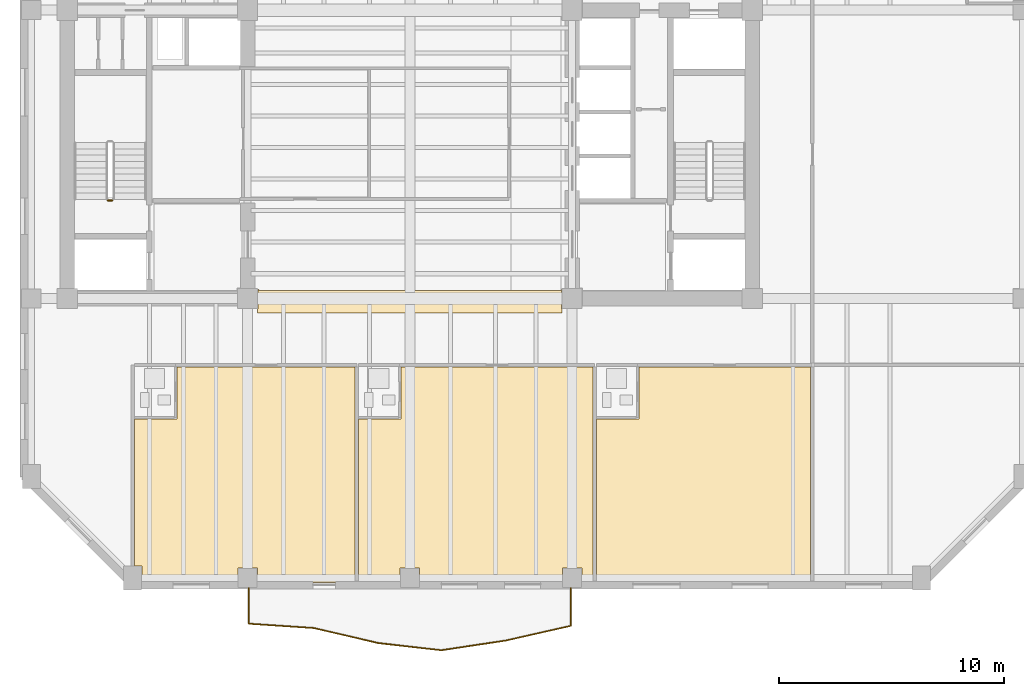
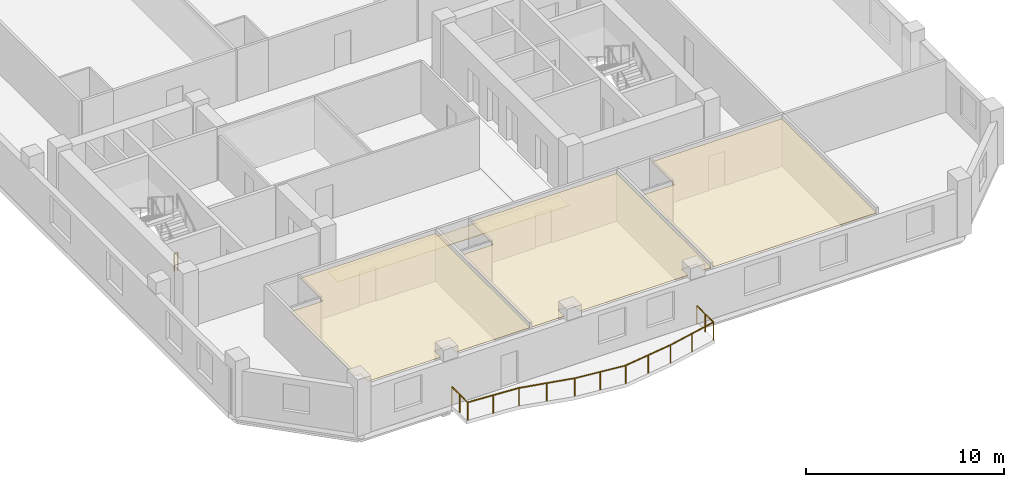
# One storey, part 6 of 9: 4 coverings, 2 railings.
"""IFC4 building model written with IfcOpenShell, lengths in metres."""

from ifc_helpers import new_model, si_unit, direction, frame, origin, origin_2d, place, context, subcontext, project, spatial, polyline, circle, outline, extrude, material, layer, layer_set, type_object, element, save


model = new_model("IFC4")

# Units and contexts
model_context = context("Model", 3, precision=1e-05, world=origin(), true_north=direction((0.0, 1.0)))
body_context = subcontext(model_context, "Body", "Model", "MODEL_VIEW")
ifc_project = project(units=[si_unit("LENGTHUNIT", "METRE"), si_unit("AREAUNIT", "SQUARE_METRE"), si_unit("VOLUMEUNIT", "CUBIC_METRE"), si_unit("PLANEANGLEUNIT", "RADIAN"), si_unit("MASSUNIT", "GRAM", prefix="KILO")], contexts=[model_context])

# Site, building, storey
site_placement = place(None, origin())
site = spatial("IfcSite", under=ifc_project, at=site_placement, CompositionType="ELEMENT")
building_placement = place(site_placement, origin())
building = spatial("IfcBuilding", under=site, at=building_placement, Name="Kranthara Brick Stack", CompositionType="ELEMENT")
storey_placement = place(building_placement, frame((0.0, 0.0, 165.800048828125)))
storey = spatial("IfcBuildingStorey", under=building, at=storey_placement, Name="L42", CompositionType="ELEMENT", Elevation=165.800048828125)

# Coverings
ifc_material_1 = material(Name="Perforated mineral-fibre acoustic ceiling tile", Category="other")
ifc_layer_1 = layer(ifc_material_1, 0.02490234375)
ifc_layer_set_1 = layer_set([ifc_layer_1], Name="Perforated mineral-fibre acoustic ceiling tile")
covering_type_1 = type_object("IfcCoveringType", Name="COV-CEIL-ACOUSTIC", PredefinedType="CEILING", material=ifc_layer_set_1)
covering_1_placement = place(storey_placement, frame((0.0, 0.0, 2.929931640625)))
element("IfcCovering", 1, at=covering_1_placement, inside=storey, type_object=covering_type_1, Name="L42 Room L42-01 Corner Junior Suite Acoustic Ceiling", PredefinedType="CEILING", context=body_context, shape_type="SweptSolid", body=[
    extrude(outline(polyline([(17.659912109375, 15.4599609375), (17.659912109375, 17.77001953125), (25.569091796875, 17.77001953125), (25.569091796875, 8.199951171875), (21.235107421875, 8.199951171875), (21.235107421875, 8.8349609375), (20.364990234375, 8.8349609375), (20.364990234375, 8.199951171875), (16.110107421875, 8.199951171875), (16.110107421875, 8.93505859375), (15.780029296875, 8.93505859375), (15.780029296875, 15.4599609375), (17.659912109375, 15.4599609375)])), origin(), (0.0, 0.0, 1.0), 0.02490234375),
])
covering_2_placement = place(storey_placement, frame((0.0, 0.0, 2.929931640625)))
element("IfcCovering", 2, at=covering_2_placement, inside=storey, type_object=covering_type_1, Name="L42 Room L42-02 Corner Junior Suite Acoustic Ceiling", PredefinedType="CEILING", context=body_context, shape_type="SweptSolid", body=[
    extrude(outline(polyline([(25.72900390625, 15.4599609375), (27.60888671875, 15.4599609375), (27.60888671875, 17.77001953125), (36.1220703125, 17.77001953125), (36.1220703125, 8.199951171875), (35.635009765625, 8.199951171875), (35.635009765625, 8.8349609375), (34.764892578125, 8.8349609375), (34.764892578125, 8.199951171875), (28.43505859375, 8.199951171875), (28.43505859375, 8.8349609375), (27.56494140625, 8.8349609375), (27.56494140625, 8.199951171875), (25.72900390625, 8.199951171875), (25.72900390625, 15.4599609375)])), origin(), (0.0, 0.0, 1.0), 0.02490234375),
])
covering_3_placement = place(storey_placement, frame((0.0, 0.0, 2.929931640625)))
element("IfcCovering", 3, at=covering_3_placement, inside=storey, type_object=covering_type_1, Name="L42 Room L42-03 Corner Junior Suite Acoustic Ceiling", PredefinedType="CEILING", context=body_context, shape_type="SweptSolid", body=[
    extrude(outline(polyline([(36.281982421875, 8.199951171875), (45.77001953125, 8.199951171875), (45.77001953125, 17.77001953125), (38.162109375, 17.77001953125), (38.162109375, 15.4599609375), (36.281982421875, 15.4599609375), (36.281982421875, 8.199951171875)])), origin(), (0.0, 0.0, 1.0), 0.02490234375),
])
ifc_material_2 = material(Name="Honed terrazzo and porcelain floor finish", Category="stone")
ifc_layer_2 = layer(ifc_material_2, 0.030029296875)
ifc_layer_set_2 = layer_set([ifc_layer_2], Name="Honed terrazzo and porcelain floor finish")
covering_type_2 = type_object("IfcCoveringType", Name="COV-FLOR-STONE", PredefinedType="FLOORING", material=ifc_layer_set_2)
covering_4_placement = place(storey_placement, origin())
element("IfcCovering", 4, at=covering_4_placement, inside=storey, type_object=covering_type_2, Name="L42 Lift Lobby Stone Flooring", PredefinedType="FLOORING", context=body_context, shape_type="SweptSolid", body=[
    extrude(outline(polyline([(21.25, 20.340087890625), (21.260009765625, 20.340087890625), (21.260009765625, 21.199951171875), (21.300048828125, 21.199951171875), (21.300048828125, 21.14990234375), (32.47998046875, 21.14990234375), (34.699951171875, 21.14990234375), (34.699951171875, 21.199951171875), (34.739990234375, 21.199951171875), (34.739990234375, 20.340087890625), (34.75, 20.340087890625), (34.75, 20.14990234375), (21.25, 20.14990234375), (21.25, 20.340087890625)])), origin(), (0.0, 0.0, 1.0), 0.030029296875),
])

# Railings
ifc_material_3 = material(Name="Bronze anodised aluminium and laminated glass balustrade", Category="aluminium")
railing_type_1 = type_object("IfcRailingType", Name="RL-BALC-1120", PredefinedType="BALUSTRADE", material=ifc_material_3)
railing_1_placement = place(storey_placement, frame((35.139892578125, 7.9599609375, 0.0)))
element("IfcRailing", 5, at=railing_1_placement, inside=storey, type_object=railing_type_1, Name="L42 South Rippling Balcony Balustrade", PredefinedType="BALUSTRADE", context=body_context, shape_type="SweptSolid", body=[
    extrude(circle(Radius=0.02392578125, at=origin_2d()), frame((0.0, 0.0, 1.09619140625), z_axis=(0.0, -1.0, 0.0), x_axis=(1.0, 0.0, 0.0)), (0.0, 0.0, 1.0), 1.684814453125),
    extrude(circle(Radius=0.02392578125, at=origin_2d()), frame((0.0, -1.684814453125, 1.09619140625), z_axis=(-0.975204294684, -0.221306537701, 0.0), x_axis=(0.221306537701, -0.975204294684, 0.0)), (0.0, 0.0, 1.0), 2.9521484375),
    extrude(circle(Radius=0.02392578125, at=origin_2d()), frame((-2.87890625, -2.338134765625, 1.09619140625), z_axis=(-0.988978936123, -0.148056286273, 0.0), x_axis=(0.148056286273, -0.988978936123, 0.0)), (0.0, 0.0, 1.0), 2.89892578125),
    extrude(circle(Radius=0.02392578125, at=origin_2d()), frame((-5.745849609375, -2.767333984375, 1.09619140625), z_axis=(-0.993608588101, 0.112880351047, 0.0), x_axis=(-0.112880351047, -0.993608588101, 0.0)), (0.0, 0.0, 1.0), 2.80078125),
    extrude(circle(Radius=0.02392578125, at=origin_2d()), frame((-8.52880859375, -2.451171875, 1.09619140625), z_axis=(-0.97393276205, 0.226836890753, 0.0), x_axis=(-0.226836890753, -0.97393276205, 0.0)), (0.0, 0.0, 1.0), 2.947998046875),
    extrude(circle(Radius=0.02392578125, at=origin_2d()), frame((-11.39990234375, -1.782470703125, 1.09619140625), z_axis=(-0.997787402959, 0.066485325426, 0.0), x_axis=(-0.066485325426, -0.997787402959, 0.0)), (0.0, 0.0, 1.0), 2.88623046875),
    extrude(circle(Radius=0.02392578125, at=origin_2d()), frame((-14.27978515625, -1.590576171875, 1.09619140625), z_axis=(0.0, 1.0, 0.0), x_axis=(-1.0, 0.0, 0.0)), (0.0, 0.0, 1.0), 1.590576171875),
    extrude(circle(Radius=0.02099609375, at=origin_2d()), origin(), (0.0, 0.0, 1.0), 1.072021484375),
    extrude(circle(Radius=0.02099609375, at=origin_2d()), frame((0.0, -0.84228515625, 0.0)), (0.0, 0.0, 1.0), 1.072021484375),
    extrude(circle(Radius=0.02099609375, at=origin_2d()), frame((0.0, -1.684814453125, 0.0)), (0.0, 0.0, 1.0), 1.072021484375),
    extrude(circle(Radius=0.02099609375, at=origin_2d()), frame((-1.439453125, -2.011474609375, 0.0)), (0.0, 0.0, 1.0), 1.072021484375),
    extrude(circle(Radius=0.02099609375, at=origin_2d()), frame((-2.87890625, -2.338134765625, 0.0)), (0.0, 0.0, 1.0), 1.072021484375),
    extrude(circle(Radius=0.02099609375, at=origin_2d()), frame((-4.3125, -2.552734375, 0.0)), (0.0, 0.0, 1.0), 1.072021484375),
    extrude(circle(Radius=0.02099609375, at=origin_2d()), frame((-5.745849609375, -2.767333984375, 0.0)), (0.0, 0.0, 1.0), 1.072021484375),
    extrude(circle(Radius=0.02099609375, at=origin_2d()), frame((-7.13720703125, -2.609375, 0.0)), (0.0, 0.0, 1.0), 1.072021484375),
    extrude(circle(Radius=0.02099609375, at=origin_2d()), frame((-8.52880859375, -2.451171875, 0.0)), (0.0, 0.0, 1.0), 1.072021484375),
    extrude(circle(Radius=0.02099609375, at=origin_2d()), frame((-9.96435546875, -2.11669921875, 0.0)), (0.0, 0.0, 1.0), 1.072021484375),
    extrude(circle(Radius=0.02099609375, at=origin_2d()), frame((-11.39990234375, -1.782470703125, 0.0)), (0.0, 0.0, 1.0), 1.072021484375),
    extrude(circle(Radius=0.02099609375, at=origin_2d()), frame((-12.83984375, -1.6865234375, 0.0)), (0.0, 0.0, 1.0), 1.072021484375),
    extrude(circle(Radius=0.02099609375, at=origin_2d()), frame((-14.27978515625, -1.590576171875, 0.0)), (0.0, 0.0, 1.0), 1.072021484375),
    extrude(circle(Radius=0.02099609375, at=origin_2d()), frame((-14.27978515625, -0.79541015625, 0.0)), (0.0, 0.0, 1.0), 1.072021484375),
    extrude(circle(Radius=0.02099609375, at=origin_2d()), frame((-14.27978515625, 0.0, 0.0)), (0.0, 0.0, 1.0), 1.072021484375),
])
ifc_material_4 = material(Name="Painted galvanized steel stair guardrail", Category="steel")
railing_type_2 = type_object("IfcRailingType", Name="RL-STAIR-GUARD-1100", PredefinedType="GUARDRAIL", material=ifc_material_4)
railing_2_placement = place(storey_placement, frame((14.800048828125, 25.14990234375, 0.0)))
element("IfcRailing", 6, at=railing_2_placement, inside=storey, type_object=railing_type_2, Name="L42 ST01 stair guard 4", PredefinedType="GUARDRAIL", context=body_context, shape_type="SweptSolid", body=[
    extrude(circle(Radius=0.02392578125, at=origin_2d()), frame((0.0, 0.0, 1.076171875), z_axis=(-1.0, 0.0, 0.0), x_axis=(0.0, -1.0, 0.0)), (0.0, 0.0, 1.0), 0.199951171875),
    extrude(circle(Radius=0.02099609375, at=origin_2d()), origin(), (0.0, 0.0, 1.0), 1.052001953125),
    extrude(circle(Radius=0.02099609375, at=origin_2d()), frame((-0.199951171875, 0.0, 0.0)), (0.0, 0.0, 1.0), 1.052001953125),
])

save(model, "model.ifc")
